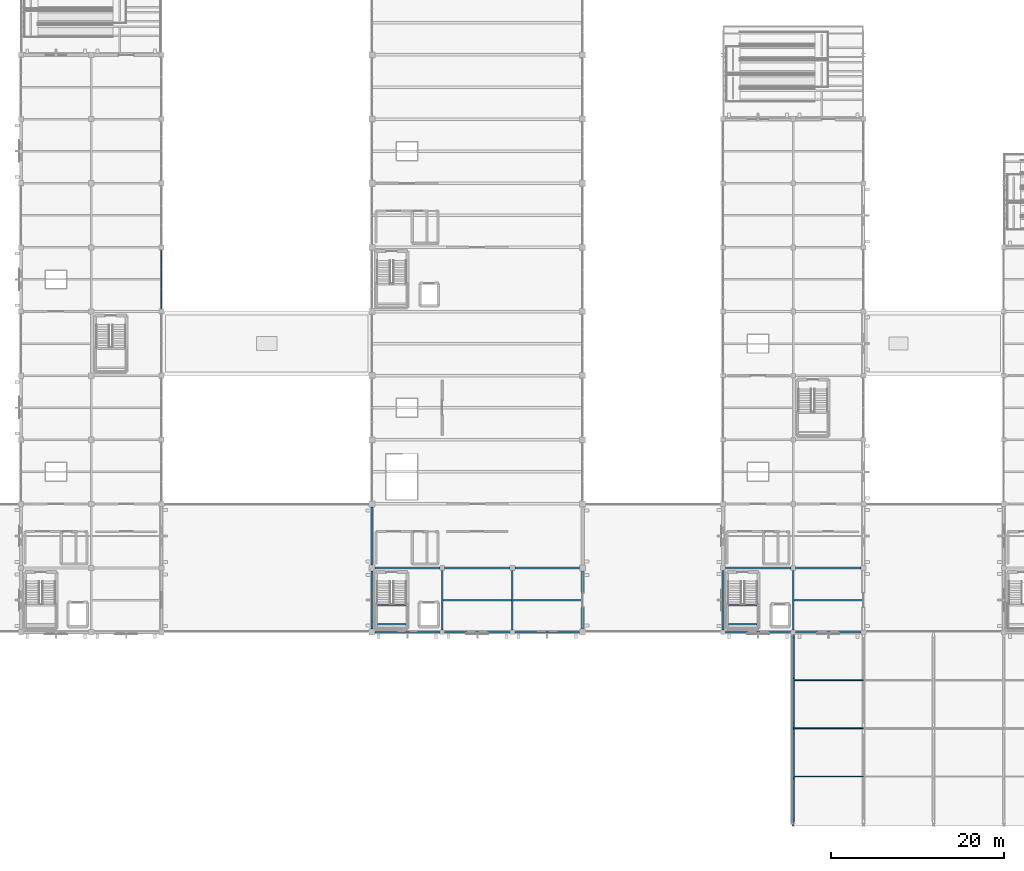
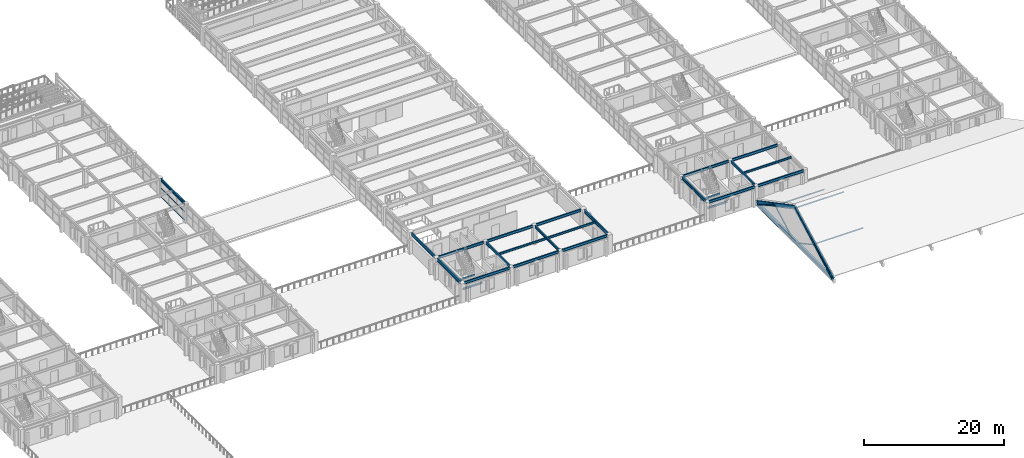
# One storey, part 24 of 121: 27 beams, 11 members, 1 element without a shape of its own.
"""IFC4 building model written with IfcOpenShell, lengths in metres."""

from ifc_helpers import new_model, si_unit, direction, frame, origin, origin_2d, place, context, subcontext, project, spatial, hollow_rectangle, i_section, extrude, material, material_profile, profile_set, type_object, element, aggregate, save


model = new_model("IFC4")

# Units and contexts
model_context = context("Model", 3, precision=1e-05, world=origin(), true_north=direction((0.0, 1.0)))
body_context = subcontext(model_context, "Body", "Model", "MODEL_VIEW")
ifc_project = project(units=[si_unit("LENGTHUNIT", "METRE"), si_unit("AREAUNIT", "SQUARE_METRE"), si_unit("VOLUMEUNIT", "CUBIC_METRE"), si_unit("PLANEANGLEUNIT", "RADIAN"), si_unit("MASSUNIT", "GRAM", prefix="KILO")], contexts=[model_context])

# Site, building, storey
site_placement = place(None, origin())
site = spatial("IfcSite", under=ifc_project, at=site_placement, CompositionType="ELEMENT")
building_placement = place(site_placement, origin())
building = spatial("IfcBuilding", under=site, at=building_placement, Name="Cimatlan Art Gallery", CompositionType="ELEMENT")
storey_placement = place(building_placement, frame((0.0, 0.0, 10.199951171875)))
storey = spatial("IfcBuildingStorey", under=building, at=storey_placement, Name="L02", CompositionType="ELEMENT", Elevation=10.199951171875)

# Beams
ifc_material_1 = material(Name="Steel ASTM A992 Grade 50", Category="steel")
ifc_material_profile_1 = material_profile(ifc_material_1, i_section(OverallWidth=0.1650390625, OverallDepth=0.31005859375, WebThickness=0.005859375, FlangeThickness=0.009765625, at=origin_2d()), Name="W12X26")
ifc_profile_set_1 = profile_set([ifc_material_profile_1], Name="Steel ASTM A992 Grade 50")
beam_type_1 = type_object("IfcBeamType", Name="BM-STL-W12X26", PredefinedType="JOIST", material=ifc_profile_set_1)
for number, where, z_axis, x_axis, name in (
    (1, (75.514892578125, 24.800048828125, 1.425048828125), (1.0, 0.0, 0.0), (0.0, 1.0, 0.0), "BM-STR-C3-L02-LH1"),
    (2, (75.514892578125, 27.030029296875, 1.425048828125), (1.0, 0.0, 0.0), (0.0, 1.0, 0.0), "BM-STR-C3-L02-LH2"),
    (3, (116.014892578125, 24.800048828125, 1.425048828125), (1.0, 0.0, 0.0), (0.0, 1.0, 0.0), "BM-STR-C4-L02-LH1"),
    (4, (116.014892578125, 27.030029296875, 1.425048828125), (1.0, 0.0, 0.0), (0.0, 1.0, 0.0), "BM-STR-C4-L02-LH2"),
):
    element("IfcBeam", number, at=place(storey_placement, frame(where, z_axis=z_axis, x_axis=x_axis)), inside=storey, type_object=beam_type_1, Name=name, PredefinedType="JOIST", context=body_context, shape_type="SweptSolid", body=[
        extrude(i_section(OverallWidth=0.1650390625, OverallDepth=0.31005859375, WebThickness=0.005859375, FlangeThickness=0.009765625, at=origin_2d()), origin(), (0.0, 0.0, 1.0), 3.2900390625),
    ])
ifc_material_profile_2 = material_profile(ifc_material_1, i_section(OverallWidth=0.1708984375, OverallDepth=0.35107421875, WebThickness=0.0068359375, FlangeThickness=0.009765625, at=origin_2d()), Name="W14X30")
ifc_profile_set_2 = profile_set([ifc_material_profile_2], Name="Steel ASTM A992 Grade 50")
beam_type_2 = type_object("IfcBeamType", Name="BM-STL-W14X30", PredefinedType="JOIST", material=ifc_profile_set_2)
beam_1_placement = place(storey_placement, frame((83.095458984375, 27.60009765625, 3.194580078125), z_axis=(1.0, 0.0, 0.0), x_axis=(0.0, 1.0, 0.0)))
element("IfcBeam", 5, at=beam_1_placement, inside=storey, type_object=beam_type_2, Name="JST-L02-10-03", PredefinedType="JOIST", context=body_context, shape_type="SweptSolid", body=[
    extrude(i_section(OverallWidth=0.1708984375, OverallDepth=0.35107421875, WebThickness=0.0068359375, FlangeThickness=0.009765625, at=origin_2d()), origin(), (0.0, 0.0, 1.0), 7.908935546875),
])
beam_2_placement = place(storey_placement, frame((91.195556640625, 27.60009765625, 3.194580078125), z_axis=(1.0, 0.0, 0.0), x_axis=(0.0, 1.0, 0.0)))
element("IfcBeam", 6, at=beam_2_placement, inside=storey, type_object=beam_type_2, Name="JST-L02-11-03", PredefinedType="JOIST", context=body_context, shape_type="SweptSolid", body=[
    extrude(i_section(OverallWidth=0.1708984375, OverallDepth=0.35107421875, WebThickness=0.0068359375, FlangeThickness=0.009765625, at=origin_2d()), origin(), (0.0, 0.0, 1.0), 7.8994140625),
])
beam_3_placement = place(storey_placement, frame((123.595458984375, 27.60009765625, 3.194580078125), z_axis=(1.0, 0.0, 0.0), x_axis=(0.0, 1.0, 0.0)))
element("IfcBeam", 7, at=beam_3_placement, inside=storey, type_object=beam_type_2, Name="JST-L02-15-03", PredefinedType="JOIST", context=body_context, shape_type="SweptSolid", body=[
    extrude(i_section(OverallWidth=0.1708984375, OverallDepth=0.35107421875, WebThickness=0.0068359375, FlangeThickness=0.009765625, at=origin_2d()), origin(), (0.0, 0.0, 1.0), 7.908935546875),
])
ifc_material_profile_3 = material_profile(ifc_material_1, i_section(OverallWidth=0.19091796875, OverallDepth=0.45703125, WebThickness=0.009033203125, FlangeThickness=0.014404296875, at=origin_2d()), Name="W18X50")
ifc_profile_set_3 = profile_set([ifc_material_profile_3], Name="Steel ASTM A992 Grade 50")
beam_type_3 = type_object("IfcBeamType", Name="BM-STL-W18X50", PredefinedType="BEAM", material=ifc_profile_set_3)
beam_4_placement = place(storey_placement, frame((50.60009765625, 61.199951171875, 3.1416015625), z_axis=(0.0, 1.0, 0.0), x_axis=(-1.0, 0.0, 0.0)))
element("IfcBeam", 8, at=beam_4_placement, inside=storey, type_object=beam_type_3, Name="BM-Y-L02-06-08", PredefinedType="BEAM", context=body_context, shape_type="SweptSolid", body=[
    extrude(i_section(OverallWidth=0.19091796875, OverallDepth=0.45703125, WebThickness=0.009033203125, FlangeThickness=0.014404296875, at=origin_2d()), origin(), (0.0, 0.0, 1.0), 6.800048828125),
])
for number, where, z_axis, x_axis, name in (
    (9, (83.0, 24.175048828125, 3.1416015625), (0.0, 1.0, 0.0), (-1.0, 0.0, 0.0), "BM-Y-L02-10-03"),
    (10, (91.10009765625, 24.175048828125, 3.1416015625), (0.0, 1.0, 0.0), (-1.0, 0.0, 0.0), "BM-Y-L02-11-03"),
    (11, (115.39990234375, 24.175048828125, 3.1416015625), (0.0, 1.0, 0.0), (-1.0, 0.0, 0.0), "BM-Y-L02-14-03"),
    (12, (123.5, 24.175048828125, 3.1416015625), (0.0, 1.0, 0.0), (-1.0, 0.0, 0.0), "BM-Y-L02-15-03"),
):
    element("IfcBeam", number, at=place(storey_placement, frame(where, z_axis=z_axis, x_axis=x_axis)), inside=storey, type_object=beam_type_3, Name=name, PredefinedType="BEAM", context=body_context, shape_type="SweptSolid", body=[
        extrude(i_section(OverallWidth=0.19091796875, OverallDepth=0.45703125, WebThickness=0.009033203125, FlangeThickness=0.014404296875, at=origin_2d()), origin(), (0.0, 0.0, 1.0), 6.849853515625),
    ])
for number, where, z_axis, x_axis, name in (
    (13, (75.25, 23.89990234375, 3.1416015625), (1.0, 0.0, 0.0), (0.0, 1.0, 0.0), "BM-X-L02-09-03"),
    (14, (75.25, 31.300048828125, 3.1416015625), (1.0, 0.0, 0.0), (0.0, 1.0, 0.0), "BM-X-L02-09-04"),
):
    element("IfcBeam", number, at=place(storey_placement, frame(where, z_axis=z_axis, x_axis=x_axis)), inside=storey, type_object=beam_type_3, Name=name, PredefinedType="BEAM", context=body_context, shape_type="SweptSolid", body=[
        extrude(i_section(OverallWidth=0.19091796875, OverallDepth=0.45703125, WebThickness=0.009033203125, FlangeThickness=0.014404296875, at=origin_2d()), origin(), (0.0, 0.0, 1.0), 7.47509765625),
    ])
for number, where, z_axis, x_axis, name in (
    (15, (83.27490234375, 23.89990234375, 3.1416015625), (1.0, 0.0, 0.0), (0.0, 1.0, 0.0), "BM-X-L02-10-03"),
    (16, (83.27490234375, 31.300048828125, 3.1416015625), (1.0, 0.0, 0.0), (0.0, 1.0, 0.0), "BM-X-L02-10-04"),
):
    element("IfcBeam", number, at=place(storey_placement, frame(where, z_axis=z_axis, x_axis=x_axis)), inside=storey, type_object=beam_type_3, Name=name, PredefinedType="BEAM", context=body_context, shape_type="SweptSolid", body=[
        extrude(i_section(OverallWidth=0.19091796875, OverallDepth=0.45703125, WebThickness=0.009033203125, FlangeThickness=0.014404296875, at=origin_2d()), origin(), (0.0, 0.0, 1.0), 7.550048828125),
    ])
for number, where, z_axis, x_axis, name in (
    (17, (91.375, 23.89990234375, 3.1416015625), (1.0, 0.0, 0.0), (0.0, 1.0, 0.0), "BM-X-L02-11-03"),
    (18, (91.375, 31.300048828125, 3.1416015625), (1.0, 0.0, 0.0), (0.0, 1.0, 0.0), "BM-X-L02-11-04"),
):
    element("IfcBeam", number, at=place(storey_placement, frame(where, z_axis=z_axis, x_axis=x_axis)), inside=storey, type_object=beam_type_3, Name=name, PredefinedType="BEAM", context=body_context, shape_type="SweptSolid", body=[
        extrude(i_section(OverallWidth=0.19091796875, OverallDepth=0.45703125, WebThickness=0.009033203125, FlangeThickness=0.014404296875, at=origin_2d()), origin(), (0.0, 0.0, 1.0), 7.47509765625),
    ])
for number, where, z_axis, x_axis, name in (
    (19, (115.675048828125, 23.89990234375, 3.1416015625), (1.0, 0.0, 0.0), (0.0, 1.0, 0.0), "BM-X-L02-14-03"),
    (20, (115.675048828125, 31.300048828125, 3.1416015625), (1.0, 0.0, 0.0), (0.0, 1.0, 0.0), "BM-X-L02-14-04"),
    (21, (123.77490234375, 23.89990234375, 3.1416015625), (1.0, 0.0, 0.0), (0.0, 1.0, 0.0), "BM-X-L02-15-03"),
    (22, (123.77490234375, 31.300048828125, 3.1416015625), (1.0, 0.0, 0.0), (0.0, 1.0, 0.0), "BM-X-L02-15-04"),
):
    element("IfcBeam", number, at=place(storey_placement, frame(where, z_axis=z_axis, x_axis=x_axis)), inside=storey, type_object=beam_type_3, Name=name, PredefinedType="BEAM", context=body_context, shape_type="SweptSolid", body=[
        extrude(i_section(OverallWidth=0.19091796875, OverallDepth=0.45703125, WebThickness=0.009033203125, FlangeThickness=0.014404296875, at=origin_2d()), origin(), (0.0, 0.0, 1.0), 7.550048828125),
    ])
ifc_material_profile_4 = material_profile(ifc_material_1, i_section(OverallWidth=0.2099609375, OverallDepth=0.532958984375, WebThickness=0.01025390625, FlangeThickness=0.015625, at=origin_2d()), Name="W21X62")
ifc_profile_set_4 = profile_set([ifc_material_profile_4], Name="Steel ASTM A992 Grade 50")
beam_type_4 = type_object("IfcBeamType", Name="BM-STL-W21X62", PredefinedType="BEAM", material=ifc_profile_set_4)
beam_5_placement = place(storey_placement, frame((74.89990234375, 24.25, 3.103515625), z_axis=(0.0, 1.0, 0.0), x_axis=(-1.0, 0.0, 0.0)))
element("IfcBeam", 23, at=beam_5_placement, inside=storey, type_object=beam_type_4, Name="BM-Y-L02-09-03", PredefinedType="BEAM", context=body_context, shape_type="SweptSolid", body=[
    extrude(i_section(OverallWidth=0.2099609375, OverallDepth=0.532958984375, WebThickness=0.01025390625, FlangeThickness=0.015625, at=origin_2d()), origin(), (0.0, 0.0, 1.0), 6.699951171875),
])
beam_6_placement = place(storey_placement, frame((74.89990234375, 31.64990234375, 3.103515625), z_axis=(0.0, 1.0, 0.0), x_axis=(-1.0, 0.0, 0.0)))
element("IfcBeam", 24, at=beam_6_placement, inside=storey, type_object=beam_type_4, Name="BM-Y-L02-09-04", PredefinedType="BEAM", context=body_context, shape_type="SweptSolid", body=[
    extrude(i_section(OverallWidth=0.2099609375, OverallDepth=0.532958984375, WebThickness=0.01025390625, FlangeThickness=0.015625, at=origin_2d()), origin(), (0.0, 0.0, 1.0), 6.7001953125),
])
beam_7_placement = place(storey_placement, frame((99.199951171875, 24.25, 3.103515625), z_axis=(0.0, 1.0, 0.0), x_axis=(-1.0, 0.0, 0.0)))
element("IfcBeam", 25, at=beam_7_placement, inside=storey, type_object=beam_type_4, Name="BM-Y-L02-12-03", PredefinedType="BEAM", context=body_context, shape_type="SweptSolid", body=[
    extrude(i_section(OverallWidth=0.2099609375, OverallDepth=0.532958984375, WebThickness=0.01025390625, FlangeThickness=0.015625, at=origin_2d()), origin(), (0.0, 0.0, 1.0), 6.699951171875),
])
ifc_material_profile_5 = material_profile(ifc_material_1, i_section(OverallWidth=0.22802734375, OverallDepth=0.60791015625, WebThickness=0.01123046875, FlangeThickness=0.017333984375, at=origin_2d()), Name="W24X76")
ifc_profile_set_5 = profile_set([ifc_material_profile_5], Name="Steel ASTM A992 Grade 50")
beam_type_5 = type_object("IfcBeamType", Name="BM-TRS-RAF", PredefinedType="BEAM", material=ifc_profile_set_5)
beam_8_placement = place(storey_placement, frame((123.5, 1.699951171875, 0.360107421875), z_axis=(0.0, 0.884994212642, 0.465602022751), x_axis=(-1.0, 0.0, 0.0)))
element("IfcBeam", 26, at=beam_8_placement, inside=storey, type_object=beam_type_5, Name="ATRS-01-RAF-S", PredefinedType="BEAM", context=body_context, shape_type="SweptSolid", body=[
    extrude(i_section(OverallWidth=0.22802734375, OverallDepth=0.60791015625, WebThickness=0.01123046875, FlangeThickness=0.017333984375, at=origin_2d()), origin(), (0.0, 0.0, 1.0), 12.54248046875),
])
beam_9_placement = place(storey_placement, frame((123.5, 12.800048828125, 6.199951171875), z_axis=(0.0, 0.884989992815, -0.465610043509), x_axis=(-1.0, 0.0, 0.0)))
element("IfcBeam", 27, at=beam_9_placement, inside=storey, type_object=beam_type_5, Name="ATRS-01-RAF-N", PredefinedType="BEAM", context=body_context, shape_type="SweptSolid", body=[
    extrude(i_section(OverallWidth=0.22802734375, OverallDepth=0.60791015625, WebThickness=0.01123046875, FlangeThickness=0.017333984375, at=origin_2d()), origin(), (0.0, 0.0, 1.0), 12.542236328125),
])

# Curtain wall, members
ifc_material_2 = material(Name="Anodised bronze unitised curtain wall")
curtain_wall_type = type_object("IfcCurtainWallType", Name="CW-V-06792X02823-B3", PredefinedType="NOTDEFINED", material=ifc_material_2)
curtain_wall_placement = place(storey_placement, origin())
curtain_wall = element("IfcCurtainWall", 28, at=curtain_wall_placement, inside=storey, type_object=curtain_wall_type, Name="CW-L02-05-08-E", PredefinedType="NOTDEFINED")
ifc_material_3 = material(Name="Anodised bronze aluminium 6063-T6", Category="aluminium")
ifc_material_profile_6 = material_profile(ifc_material_3, hollow_rectangle(XDim=0.06494140625, YDim=0.139892578125, WallThickness=0.00390625, at=origin_2d()), Name="ALU65X140X4")
ifc_profile_set_6 = profile_set([ifc_material_profile_6], Name="Anodised bronze aluminium 6063-T6")
member_type_1 = type_object("IfcMemberType", Name="CW-TRN-140", PredefinedType="USERDEFINED", material=ifc_profile_set_6)
member_1_placement = place(storey_placement, frame((50.60009765625, 67.99609375, 0.06005859375), z_axis=(0.0, -1.0, 0.0), x_axis=(1.0, 0.0, 0.0)))
member_1 = element("IfcMember", 29, at=member_1_placement, type_object=member_type_1, Name="CW-L02-05-08-E-T1", ObjectType="TRANSOM", PredefinedType="USERDEFINED", context=body_context, shape_type="SweptSolid", body=[
    extrude(hollow_rectangle(XDim=0.06494140625, YDim=0.139892578125, WallThickness=0.00390625, at=origin_2d()), origin(), (0.0, 0.0, 1.0), 6.7919921875),
])
member_2_placement = place(storey_placement, frame((50.60009765625, 67.99609375, 1.5810546875), z_axis=(0.0, -1.0, 0.0), x_axis=(1.0, 0.0, 0.0)))
member_2 = element("IfcMember", 30, at=member_2_placement, type_object=member_type_1, Name="CW-L02-05-08-E-T2", ObjectType="TRANSOM", PredefinedType="USERDEFINED", context=body_context, shape_type="SweptSolid", body=[
    extrude(hollow_rectangle(XDim=0.06494140625, YDim=0.139892578125, WallThickness=0.00390625, at=origin_2d()), origin(), (0.0, 0.0, 1.0), 6.7919921875),
])
member_3_placement = place(storey_placement, frame((50.60009765625, 67.99609375, 2.762939453125), z_axis=(0.0, -1.0, 0.0), x_axis=(1.0, 0.0, 0.0)))
member_3 = element("IfcMember", 31, at=member_3_placement, type_object=member_type_1, Name="CW-L02-05-08-E-T3", ObjectType="TRANSOM", PredefinedType="USERDEFINED", context=body_context, shape_type="SweptSolid", body=[
    extrude(hollow_rectangle(XDim=0.06494140625, YDim=0.139892578125, WallThickness=0.00390625, at=origin_2d()), origin(), (0.0, 0.0, 1.0), 6.7919921875),
])
aggregate(curtain_wall, [member_1, member_2, member_3])

# Members
ifc_material_4 = material(Name="Steel ASTM A500 Grade C", Category="steel")
ifc_material_profile_7 = material_profile(ifc_material_4, hollow_rectangle(XDim=0.10009765625, YDim=0.199951171875, WallThickness=0.008056640625, at=origin_2d()), Name="HSS200X100X8")
ifc_profile_set_7 = profile_set([ifc_material_profile_7], Name="Steel ASTM A500 Grade C")
member_type_2 = type_object("IfcMemberType", Name="MBR-PUR-C200", PredefinedType="PURLIN", material=ifc_profile_set_7)
for number, where, z_axis, x_axis, name in (
    (32, (123.5, 7.25, 3.14013671875), (1.0, 0.0, 0.0), (0.0, 1.0, 0.0), "APUR-B1-7"),
    (33, (123.5, 12.800048828125, 6.06005859375), (1.0, 0.0, 0.0), (0.0, 1.0, 0.0), "APUR-B1-13"),
    (34, (123.5, 18.35009765625, 3.14013671875), (1.0, 0.0, 0.0), (0.0, 1.0, 0.0), "APUR-B1-18"),
):
    element("IfcMember", number, at=place(storey_placement, frame(where, z_axis=z_axis, x_axis=x_axis)), inside=storey, type_object=member_type_2, Name=name, PredefinedType="PURLIN", context=body_context, shape_type="SweptSolid", body=[
        extrude(hollow_rectangle(XDim=0.10009765625, YDim=0.199951171875, WallThickness=0.008056640625, at=origin_2d()), origin(), (0.0, 0.0, 1.0), 8.10009765625),
    ])
ifc_material_profile_8 = material_profile(ifc_material_4, hollow_rectangle(XDim=0.14990234375, YDim=0.14990234375, WallThickness=0.008056640625, at=origin_2d()), Name="HSS150X150X8")
ifc_profile_set_8 = profile_set([ifc_material_profile_8], Name="Steel ASTM A500 Grade C")
member_type_3 = type_object("IfcMemberType", Name="MBR-TRS-DIAG-2", PredefinedType="BRACE", material=ifc_profile_set_8)
member_4_placement = place(storey_placement, frame((123.5, 2.365966796875, 0.360107421875), z_axis=(0.0, 0.857009438415, 0.515300710719), x_axis=(-1.0, 0.0, 0.0)))
element("IfcMember", 35, at=member_4_placement, inside=storey, type_object=member_type_3, Name="ATRS-01-DS1", PredefinedType="BRACE", context=body_context, shape_type="SweptSolid", body=[
    extrude(hollow_rectangle(XDim=0.14990234375, YDim=0.14990234375, WallThickness=0.008056640625, at=origin_2d()), origin(), (0.0, 0.0, 1.0), 5.43994140625),
])
member_5_placement = place(storey_placement, frame((123.5, 23.23388671875, 0.360107421875), z_axis=(0.0, -0.85699752079, 0.515320530699), x_axis=(1.0, 0.0, 0.0)))
element("IfcMember", 36, at=member_5_placement, inside=storey, type_object=member_type_3, Name="ATRS-01-DN1", PredefinedType="BRACE", context=body_context, shape_type="SweptSolid", body=[
    extrude(hollow_rectangle(XDim=0.14990234375, YDim=0.14990234375, WallThickness=0.008056640625, at=origin_2d()), origin(), (0.0, 0.0, 1.0), 5.439697265625),
])
for number, where, z_axis, x_axis, name in (
    (37, (123.5, 7.028076171875, 3.163330078125), (0.0, 0.876582017765, -0.481252497273), (-1.0, 0.0, 0.0), "ATRS-01-DS2"),
    (38, (123.5, 18.572021484375, 3.163330078125), (0.0, -0.876582017765, -0.481252497273), (1.0, 0.0, 0.0), "ATRS-01-DN2"),
):
    element("IfcMember", number, at=place(storey_placement, frame(where, z_axis=z_axis, x_axis=x_axis)), inside=storey, type_object=member_type_3, Name=name, PredefinedType="BRACE", context=body_context, shape_type="SweptSolid", body=[
        extrude(hollow_rectangle(XDim=0.14990234375, YDim=0.14990234375, WallThickness=0.008056640625, at=origin_2d()), origin(), (0.0, 0.0, 1.0), 5.824951171875),
    ])
ifc_material_profile_9 = material_profile(ifc_material_1, i_section(OverallWidth=0.323974609375, OverallDepth=0.611083984375, WebThickness=0.0126953125, FlangeThickness=0.01904296875, at=origin_2d()), Name="W24X104")
ifc_profile_set_9 = profile_set([ifc_material_profile_9], Name="Steel ASTM A992 Grade 50")
member_type_4 = type_object("IfcMemberType", Name="MBR-TRS-TIE", PredefinedType="CHORD", material=ifc_profile_set_9)
member_6_placement = place(storey_placement, frame((123.5, 2.02490234375, 0.360107421875), z_axis=(0.0, 1.0, 0.0), x_axis=(-1.0, 0.0, 0.0)))
element("IfcMember", 39, at=member_6_placement, inside=storey, type_object=member_type_4, Name="ATRS-01-TIE", PredefinedType="CHORD", context=body_context, shape_type="SweptSolid", body=[
    extrude(i_section(OverallWidth=0.323974609375, OverallDepth=0.611083984375, WebThickness=0.0126953125, FlangeThickness=0.01904296875, at=origin_2d()), origin(), (0.0, 0.0, 1.0), 21.550048828125),
])

save(model, "model.ifc")
